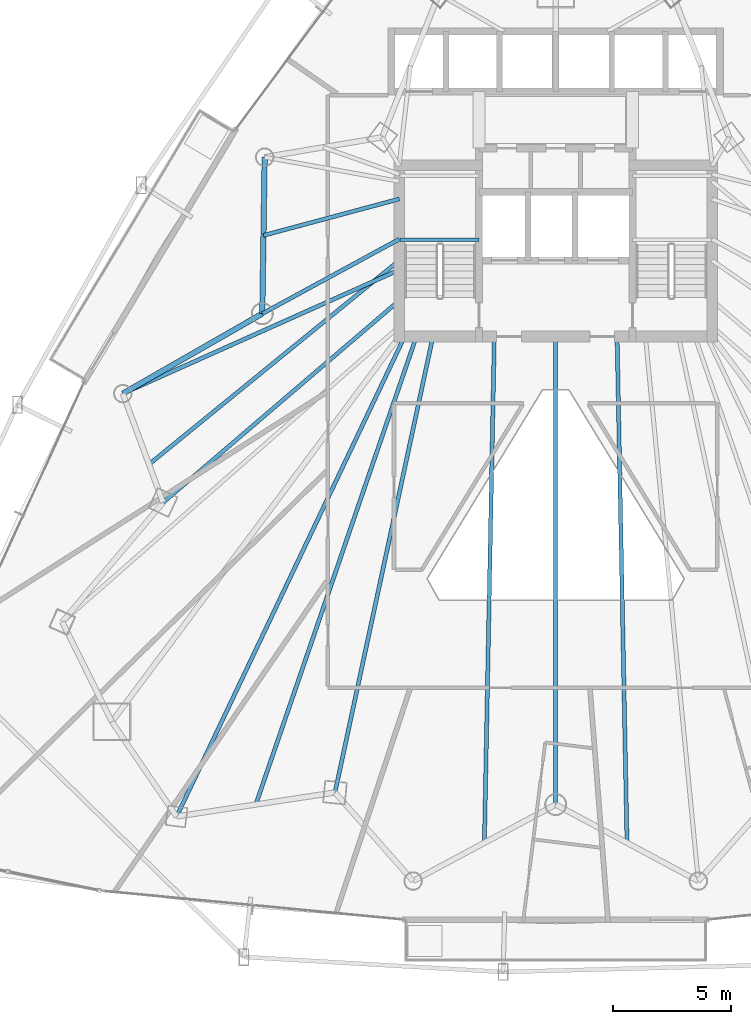
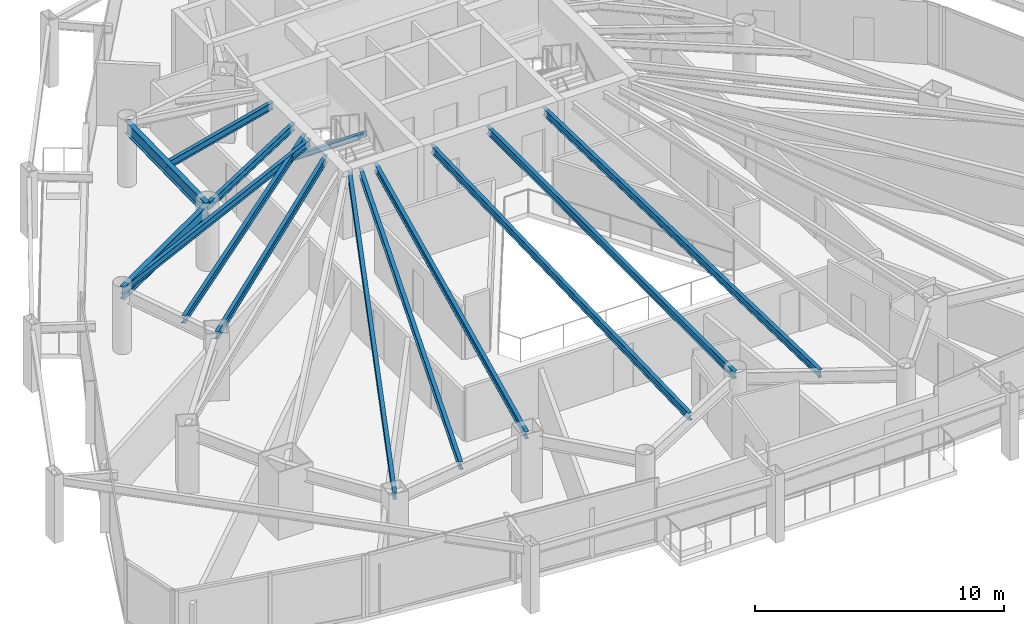
# One storey, part 11 of 34: 14 beams.
"""IFC4 building model written with IfcOpenShell, lengths in metres."""

import ifcopenshell
import ifcopenshell.guid

model = None  # the IFC model being written
_history = None  # IfcOwnerHistory: only IFC2X3 demands one
_inside = {}  # id of a spatial element -> (the spatial element, [elements in it])
_under = {}  # id of a project, library or spatial element -> (it, [spatial elements below it])
_declared = {}  # id of a project -> (the project, [libraries it declares])
_typed = {}  # id of a type object -> (the type object, [elements of that type])
_made_of = {}  # id of a material, layer set ... -> (it, [elements and type objects made of it])


def new_model(schema):
    """Start an empty IFC model of exactly this schema.

    Asked for "IFC4X3", IfcOpenShell would pick the latest addendum, in which some entities
    have other attributes; the version numbers below select the first issue.
    IFC2X3 requires an IfcOwnerHistory on every rooted entity: one is made here for all.
    """
    global model, _history
    if schema == "IFC4X3":
        model = ifcopenshell.file(schema_version=(4, 3, 0, 0))
    else:
        model = ifcopenshell.file(schema=schema)
    _inside.clear()
    _under.clear()
    _declared.clear()
    _typed.clear()
    _made_of.clear()
    _history = None
    if model.schema == "IFC2X3":
        org = make("IfcOrganization", Name="unknown")
        user = make(
            "IfcPersonAndOrganization",
            ThePerson=make("IfcPerson", FamilyName="unknown"),
            TheOrganization=org,
        )
        app = make(
            "IfcApplication",
            ApplicationDeveloper=org,
            Version="unknown",
            ApplicationFullName="unknown",
            ApplicationIdentifier="unknown",
        )
        _history = make(
            "IfcOwnerHistory",
            OwningUser=user,
            OwningApplication=app,
            ChangeAction="ADDED",
            CreationDate=0,
        )
    return model


def make(cls, **values):
    """One entity of the class cls with the attributes given. An attribute that is None is left unset."""
    return model.create_entity(
        cls, **{name: value for name, value in values.items() if value is not None}
    )


def rooted(cls, **values):
    """An entity with a GlobalId (a new one), such as an element, a storey or a relation."""
    return make(cls, GlobalId=ifcopenshell.guid.new(), OwnerHistory=_history, **values)


def si_unit(unit_type, name, prefix=None):
    """IfcSIUnit, for example si_unit("LENGTHUNIT", "METRE", prefix="MILLI")."""
    return make("IfcSIUnit", UnitType=unit_type, Prefix=prefix, Name=name)


def assignment(units):
    """IfcUnitAssignment: the units of a project."""
    return None if units is None else make("IfcUnitAssignment", Units=units)


def point(xyz):
    """IfcCartesianPoint."""
    return None if xyz is None else make("IfcCartesianPoint", Coordinates=xyz)


def direction(xyz):
    """IfcDirection."""
    return None if xyz is None else make("IfcDirection", DirectionRatios=xyz)


def frame(location, z_axis=None, x_axis=None):
    """IfcAxis2Placement3D, a coordinate frame: its origin and axes. An axis left out is left unset."""
    return make(
        "IfcAxis2Placement3D",
        Location=point(location),
        Axis=direction(z_axis),
        RefDirection=direction(x_axis),
    )


def frame_2d(location, x_axis=None):
    """IfcAxis2Placement2D, a coordinate frame in the plane: its origin and x axis."""
    return make(
        "IfcAxis2Placement2D", Location=point(location), RefDirection=direction(x_axis)
    )


def origin():
    """The frame at (0, 0, 0) with its axes left unset."""
    return frame((0.0, 0.0, 0.0))


def origin_2d():
    """The frame at (0, 0) in the plane with its x axis left unset."""
    return frame_2d((0.0, 0.0))


def place(relative_to, where):
    """IfcLocalPlacement: puts the frame where relative to a parent placement (None: the world)."""
    return make(
        "IfcLocalPlacement", PlacementRelTo=relative_to, RelativePlacement=where
    )


def context(
    kind, dimensions, precision=None, world=None, true_north=None, identifier=None
):
    """IfcGeometricRepresentationContext, for example the 3D "Model" context."""
    return make(
        "IfcGeometricRepresentationContext",
        ContextIdentifier=identifier,
        ContextType=kind,
        CoordinateSpaceDimension=dimensions,
        Precision=precision,
        WorldCoordinateSystem=world,
        TrueNorth=true_north,
    )


def subcontext(parent, identifier, kind, view, scale=None):
    """IfcGeometricRepresentationSubContext, for example "Body" below "Model"."""
    return make(
        "IfcGeometricRepresentationSubContext",
        ContextIdentifier=identifier,
        ContextType=kind,
        ParentContext=parent,
        TargetScale=scale,
        TargetView=view,
    )


def project(units=None, contexts=None):
    """IfcProject with its units and contexts."""
    return rooted(
        "IfcProject",
        Name="project",
        RepresentationContexts=contexts,
        UnitsInContext=assignment(units),
    )


def spatial(cls, under=None, at=None, **own):
    """A site, building, storey or space (cls), placed at a placement, below another one or the project."""
    s = rooted(cls, ObjectPlacement=at, **own)
    if under is not None:
        _under.setdefault(under.id(), (under, []))[1].append(s)
    return s


def profile(cls, at=None, kind="AREA", **sizes):
    """A parametric profile (cls). Its sizes go by their IFC names, for example OverallWidth=200.0."""
    return make(cls, ProfileType=kind, Position=at, **sizes)


def i_section(**sizes):
    """IfcIShapeProfileDef."""
    return profile("IfcIShapeProfileDef", **sizes)


def extrude(swept, where, along, depth):
    """IfcExtrudedAreaSolid: the profile swept, set in the frame where, extruded along a direction by depth."""
    return make(
        "IfcExtrudedAreaSolid",
        SweptArea=swept,
        Position=where,
        ExtrudedDirection=direction(along),
        Depth=depth,
    )


def shape(context_of_items, identifier, shape_type, items):
    """IfcShapeRepresentation: the items that make up one representation, for example the "Body"."""
    return make(
        "IfcShapeRepresentation",
        ContextOfItems=context_of_items,
        RepresentationIdentifier=identifier,
        RepresentationType=shape_type,
        Items=items,
    )


def material(Name=None, Category=None):
    """IfcMaterial."""
    return make("IfcMaterial", Name=Name, Category=Category)


def material_profile(
    of_material, cross_section, Name=None, Category=None, Priority=None
):
    """IfcMaterialProfile: a cross section and its material."""
    return make(
        "IfcMaterialProfile",
        Name=Name,
        Material=of_material,
        Profile=cross_section,
        Priority=Priority,
        Category=Category,
    )


def profile_set(profiles, Name=None, composite=None):
    """IfcMaterialProfileSet."""
    return make(
        "IfcMaterialProfileSet",
        Name=Name,
        MaterialProfiles=profiles,
        CompositeProfile=composite,
    )


def made_of(thing, what):
    """Note that an element or type object is made of a material, layer set ...; save() writes the relation."""
    if what is not None:
        _made_of.setdefault(what.id(), (what, []))[1].append(thing)
    return thing


def type_object(cls, material=None, **own):
    """A type object (cls), such as IfcWallType, which elements share."""
    return made_of(rooted(cls, **own), material)


def element(
    cls,
    number,
    at=None,
    inside=None,
    cuts=None,
    type_object=None,
    material=None,
    context=None,
    identifier="Body",
    shape_type=None,
    held_by="IfcProductDefinitionShape",
    body=None,
    shapes=None,
    **own,
):
    """One element of the class cls, such as IfcWall. Its Tag is "e" and its number.

    at: its placement. inside: the storey or other place that contains it. cuts: it is an
    opening in that element (IfcRelVoidsElement). A single representation is given by context,
    identifier, shape_type and body (its items); several are given by shapes. held_by: the class
    of the entity that holds the representations. save() writes the other relations.
    """
    e = rooted(cls, Tag="e%d" % number, ObjectPlacement=at, **own)
    if body is not None:
        shapes = [shape(context, identifier, shape_type, body)]
    if shapes is not None:
        e.Representation = make(held_by, Representations=shapes)
    if inside is not None:
        _inside.setdefault(inside.id(), (inside, []))[1].append(e)
    if cuts is not None:
        rooted(
            "IfcRelVoidsElement", RelatingBuildingElement=cuts, RelatedOpeningElement=e
        )
    if type_object is not None:
        _typed.setdefault(type_object.id(), (type_object, []))[1].append(e)
    return made_of(e, material)


def aggregate(whole, parts):
    """IfcRelAggregates: a whole, such as a stair, and the parts it consists of."""
    return rooted("IfcRelAggregates", RelatingObject=whole, RelatedObjects=parts)


def save(model, path):
    """Write the relations noted so far, then the file.

    IfcRelAggregates (storeys below a building ...), IfcRelContainedInSpatialStructure (elements
    in a storey), IfcRelDefinesByType, IfcRelAssociatesMaterial and IfcRelDeclares: one each for
    every whole, place, type object, material and project.
    """
    for whole, parts in _under.values():
        aggregate(whole, parts)
    for where, things in _inside.values():
        rooted(
            "IfcRelContainedInSpatialStructure",
            RelatedElements=things,
            RelatingStructure=where,
        )
    for kind, things in _typed.values():
        rooted("IfcRelDefinesByType", RelatedObjects=things, RelatingType=kind)
    for what, things in _made_of.values():
        rooted("IfcRelAssociatesMaterial", RelatedObjects=things, RelatingMaterial=what)
    for by, libraries in _declared.values():
        rooted("IfcRelDeclares", RelatingContext=by, RelatedDefinitions=libraries)
    model.write(path)


model = new_model("IFC4")

# Units and contexts
model_context = context("Model", 3, precision=1e-05, world=origin(), true_north=direction((0.0, 1.0)))
body_context = subcontext(model_context, "Body", "Model", "MODEL_VIEW")
ifc_project = project(units=[si_unit("LENGTHUNIT", "METRE"), si_unit("AREAUNIT", "SQUARE_METRE"), si_unit("VOLUMEUNIT", "CUBIC_METRE"), si_unit("PLANEANGLEUNIT", "RADIAN"), si_unit("MASSUNIT", "GRAM", prefix="KILO")], contexts=[model_context])

# Site, building, storey
site_placement = place(None, origin())
site = spatial("IfcSite", under=ifc_project, at=site_placement, CompositionType="ELEMENT")
building_placement = place(site_placement, origin())
building = spatial("IfcBuilding", under=site, at=building_placement, Name="Orvanel Arch Residences", CompositionType="ELEMENT")
storey_placement = place(building_placement, frame((0.0, 0.0, 67.550048828125)))
storey = spatial("IfcBuildingStorey", under=building, at=storey_placement, Name="L18", CompositionType="ELEMENT", Elevation=67.550048828125)

# Beams
ifc_material = material(Name="Structural steel AS/NZS 3679.1 Grade 300 (300 MPa)", Category="steel")
ifc_material_profile_1 = material_profile(ifc_material, i_section(OverallWidth=0.14599609375, OverallDepth=0.251953125, WebThickness=0.006103515625, FlangeThickness=0.008544921875, at=origin_2d()), Name="250UB31.4")
ifc_profile_set_1 = profile_set([ifc_material_profile_1], Name="Structural steel AS/NZS 3679.1 Grade 300 (300 MPa)")
beam_type_1 = type_object("IfcBeamType", Name="BJ-250UB", PredefinedType="JOIST", material=ifc_profile_set_1)
beam_1_placement = place(storey_placement, frame((26.39990234375, 30.780029296875, 1.323974609375), z_axis=(1.0, 0.0, 0.0), x_axis=(0.0, 1.0, 0.0)))
element("IfcBeam", 1, at=beam_1_placement, inside=storey, type_object=beam_type_1, Name="L18 ST-1 Half-Landing Support Beam 1.1", PredefinedType="JOIST", context=body_context, shape_type="SweptSolid", body=[
    extrude(i_section(OverallWidth=0.14599609375, OverallDepth=0.251953125, WebThickness=0.006103515625, FlangeThickness=0.008544921875, at=origin_2d()), origin(), (0.0, 0.0, 1.0), 3.35009765625),
])
ifc_material_profile_2 = material_profile(ifc_material, i_section(OverallWidth=0.1708984375, OverallDepth=0.35595703125, WebThickness=0.00732421875, FlangeThickness=0.011474609375, at=origin_2d()), Name="360UB50.7")
ifc_profile_set_2 = profile_set([ifc_material_profile_2], Name="Structural steel AS/NZS 3679.1 Grade 300 (300 MPa)")
beam_type_2 = type_object("IfcBeamType", Name="BJ-360UB", PredefinedType="JOIST", material=ifc_profile_set_2)
beam_2_placement = place(storey_placement, frame((26.375, 30.800048828125, 2.8818359375), z_axis=(-0.878399029914, -0.477927969726, 0.0), x_axis=(0.477927969726, -0.878399029914, 0.0)))
element("IfcBeam", 2, at=beam_2_placement, inside=storey, type_object=beam_type_2, Name="L18 NW Wing Floor Joist", PredefinedType="JOIST", context=body_context, shape_type="SweptSolid", body=[
    extrude(i_section(OverallWidth=0.1708984375, OverallDepth=0.35595703125, WebThickness=0.00732421875, FlangeThickness=0.011474609375, at=origin_2d()), origin(), (0.0, 0.0, 1.0), 6.609619140625),
])
beam_3_placement = place(storey_placement, frame((26.375, 28.199951171875, 2.8818359375), z_axis=(-0.760024297953, -0.649894658018, 0.0), x_axis=(0.649894658018, -0.760024297953, 0.0)))
element("IfcBeam", 3, at=beam_3_placement, inside=storey, type_object=beam_type_2, Name="L18 W Wing Floor Joist", PredefinedType="JOIST", context=body_context, shape_type="SweptSolid", body=[
    extrude(i_section(OverallWidth=0.1708984375, OverallDepth=0.35595703125, WebThickness=0.00732421875, FlangeThickness=0.011474609375, at=origin_2d()), origin(), (0.0, 0.0, 1.0), 13.16796875),
])
beam_4_placement = place(storey_placement, frame((27.800048828125, 26.675048828125, 2.8818359375), z_axis=(-0.210066515515, -0.977687096703, 0.0), x_axis=(0.977687096703, -0.210066515515, 0.0)))
element("IfcBeam", 4, at=beam_4_placement, inside=storey, type_object=beam_type_2, Name="L18 SW Wing Floor Joist", PredefinedType="JOIST", context=body_context, shape_type="SweptSolid", body=[
    extrude(i_section(OverallWidth=0.1708984375, OverallDepth=0.35595703125, WebThickness=0.00732421875, FlangeThickness=0.011474609375, at=origin_2d()), origin(), (0.0, 0.0, 1.0), 19.760986328125),
])
beam_5_placement = place(storey_placement, frame((33.0, 26.675048828125, 2.8818359375), z_axis=(0.0, -1.0, 0.0), x_axis=(1.0, 0.0, 0.0)))
element("IfcBeam", 5, at=beam_5_placement, inside=storey, type_object=beam_type_2, Name="L18 SSW Wing Floor Joist", PredefinedType="JOIST", context=body_context, shape_type="SweptSolid", body=[
    extrude(i_section(OverallWidth=0.1708984375, OverallDepth=0.35595703125, WebThickness=0.00732421875, FlangeThickness=0.011474609375, at=origin_2d()), origin(), (0.0, 0.0, 1.0), 19.8310546875),
])
beam_6_placement = place(storey_placement, frame((26.375, 32.5, 2.8818359375), z_axis=(-0.965844838168, -0.259121107949, 0.0), x_axis=(0.259121107949, -0.965844838168, 0.0)))
element("IfcBeam", 6, at=beam_6_placement, inside=storey, type_object=beam_type_2, Name="L18 WNW Wing Floor Joist", PredefinedType="JOIST", context=body_context, shape_type="SweptSolid", body=[
    extrude(i_section(OverallWidth=0.1708984375, OverallDepth=0.35595703125, WebThickness=0.00732421875, FlangeThickness=0.011474609375, at=origin_2d()), origin(), (0.0, 0.0, 1.0), 5.95849609375),
])
for number, where, z_axis, x_axis, name in (
    (7, (30.39990234375, 26.675048828125, 2.8818359375), (-0.019617680075, -0.999807554797, 0.0), (0.999807554797, -0.019617680075, 0.0), "L18 WSW2 Wing Floor Joist"),
    (8, (35.60009765625, 26.675048828125, 2.8818359375), (0.019617680075, -0.999807554797, 0.0), (0.999807554797, 0.019617680075, 0.0), "L18 ESE2 Wing Floor Joist"),
):
    element("IfcBeam", number, at=place(storey_placement, frame(where, z_axis=z_axis, x_axis=x_axis)), inside=storey, type_object=beam_type_2, Name=name, PredefinedType="JOIST", context=body_context, shape_type="SweptSolid", body=[
        extrude(i_section(OverallWidth=0.1708984375, OverallDepth=0.35595703125, WebThickness=0.00732421875, FlangeThickness=0.011474609375, at=origin_2d()), origin(), (0.0, 0.0, 1.0), 21.455078125),
    ])
beam_7_placement = place(storey_placement, frame((26.60009765625, 26.675048828125, 2.8818359375), z_axis=(-0.429042657795, -0.903284228686, 0.0), x_axis=(0.903284228686, -0.429042657795, 0.0)))
element("IfcBeam", 9, at=beam_7_placement, inside=storey, type_object=beam_type_2, Name="L18 MSW Wing Floor Joist", PredefinedType="JOIST", context=body_context, shape_type="SweptSolid", body=[
    extrude(i_section(OverallWidth=0.1708984375, OverallDepth=0.35595703125, WebThickness=0.00732421875, FlangeThickness=0.011474609375, at=origin_2d()), origin(), (0.0, 0.0, 1.0), 22.513427734375),
])
beam_8_placement = place(storey_placement, frame((26.375, 29.5, 2.8818359375), z_axis=(-0.912704378681, -0.408620505038, 0.0), x_axis=(0.408620505038, -0.912704378681, 0.0)))
element("IfcBeam", 10, at=beam_8_placement, inside=storey, type_object=beam_type_2, Name="L18 LSW Wing Floor Joist", PredefinedType="JOIST", context=body_context, shape_type="SweptSolid", body=[
    extrude(i_section(OverallWidth=0.1708984375, OverallDepth=0.35595703125, WebThickness=0.00732421875, FlangeThickness=0.011474609375, at=origin_2d()), origin(), (0.0, 0.0, 1.0), 12.833251953125),
])
beam_9_placement = place(storey_placement, frame((26.375, 29.89990234375, 2.8818359375), z_axis=(-0.775173162495, -0.631748817291, 0.0), x_axis=(0.631748817291, -0.775173162495, 0.0)))
element("IfcBeam", 11, at=beam_9_placement, inside=storey, type_object=beam_type_2, Name="L18 CTW Wing Floor Joist", PredefinedType="JOIST", context=body_context, shape_type="SweptSolid", body=[
    extrude(i_section(OverallWidth=0.1708984375, OverallDepth=0.35595703125, WebThickness=0.00732421875, FlangeThickness=0.011474609375, at=origin_2d()), origin(), (0.0, 0.0, 1.0), 13.680908203125),
])
beam_10_placement = place(storey_placement, frame((27.10009765625, 26.675048828125, 2.8818359375), z_axis=(-0.324621456495, -0.945844019901, 0.0), x_axis=(0.945844019901, -0.324621456495, 0.0)))
element("IfcBeam", 12, at=beam_10_placement, inside=storey, type_object=beam_type_2, Name="L18 JADD1 Wing Floor Joist", PredefinedType="JOIST", context=body_context, shape_type="SweptSolid", body=[
    extrude(i_section(OverallWidth=0.1708984375, OverallDepth=0.35595703125, WebThickness=0.00732421875, FlangeThickness=0.011474609375, at=origin_2d()), origin(), (0.0, 0.0, 1.0), 20.96337890625),
])
ifc_material_profile_3 = material_profile(ifc_material, i_section(OverallWidth=0.22900390625, OverallDepth=0.612060546875, WebThickness=0.011962890625, FlangeThickness=0.01953125, at=origin_2d()), Name="610UB125")
ifc_profile_set_3 = profile_set([ifc_material_profile_3], Name="Structural steel AS/NZS 3679.1 Grade 300 (300 MPa)")
beam_type_3 = type_object("IfcBeamType", Name="SP-610UB", PredefinedType="SPANDREL", material=ifc_profile_set_3)
beam_11_placement = place(storey_placement, frame((20.669921875, 34.27099609375, 2.75390625), z_axis=(-0.015206666874, -0.999884371956, 0.0), x_axis=(0.999884371956, -0.015206666874, 0.0)))
element("IfcBeam", 13, at=beam_11_placement, inside=storey, type_object=beam_type_3, Name="L18 Perimeter Spandrel Beam 20", PredefinedType="SPANDREL", context=body_context, shape_type="SweptSolid", body=[
    extrude(i_section(OverallWidth=0.22900390625, OverallDepth=0.612060546875, WebThickness=0.011962890625, FlangeThickness=0.01953125, at=origin_2d()), origin(), (0.0, 0.0, 1.0), 6.630615234375),
])
beam_12_placement = place(storey_placement, frame((20.569091796875, 27.64111328125, 2.75390625), z_axis=(-0.867635629025, -0.497200578485, 0.0), x_axis=(0.497200578485, -0.867635629025, 0.0)))
element("IfcBeam", 14, at=beam_12_placement, inside=storey, type_object=beam_type_3, Name="L18 Perimeter Spandrel Beam 21", PredefinedType="SPANDREL", context=body_context, shape_type="SweptSolid", body=[
    extrude(i_section(OverallWidth=0.22900390625, OverallDepth=0.612060546875, WebThickness=0.011962890625, FlangeThickness=0.01953125, at=origin_2d()), origin(), (0.0, 0.0, 1.0), 6.80810546875),
])

save(model, "model.ifc")
